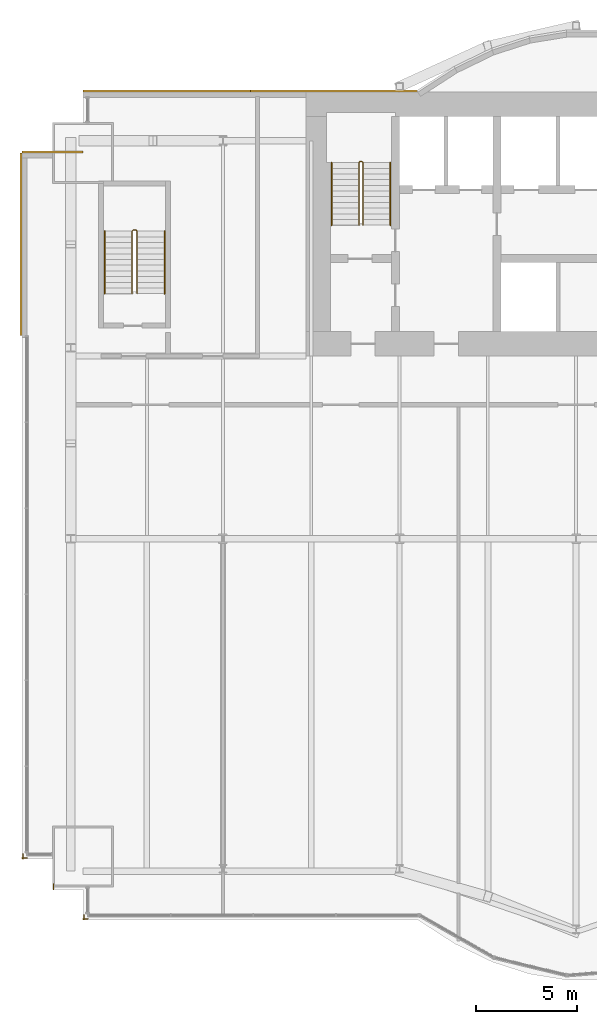
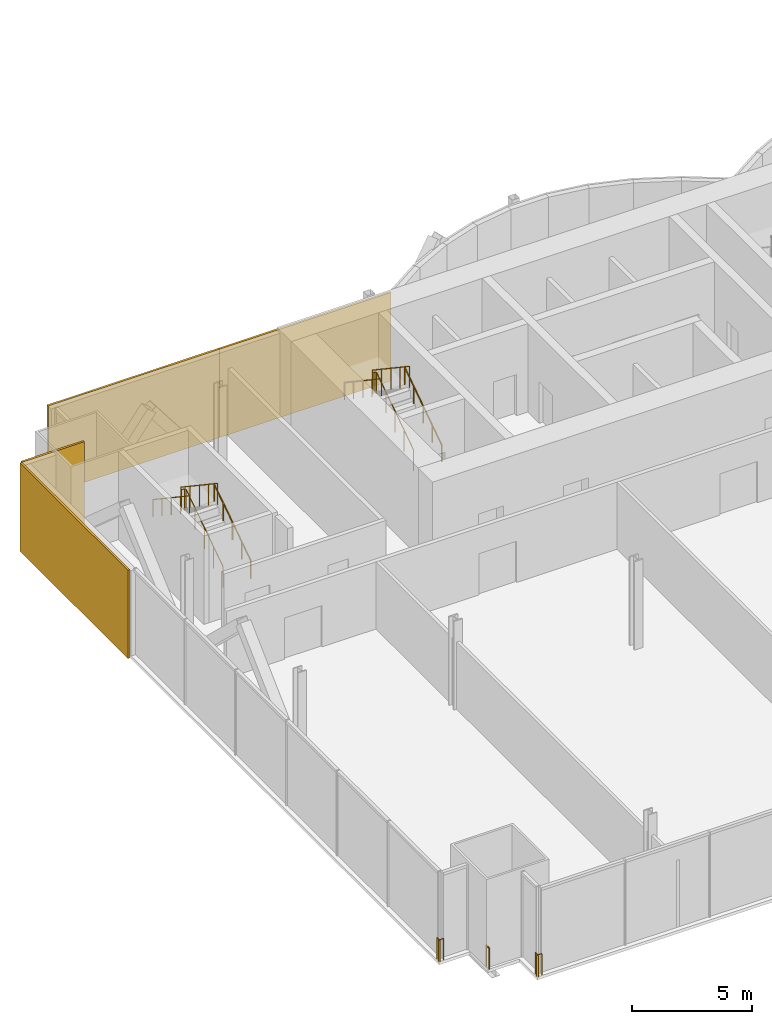
# One storey, part 19 of 21: 9 railings, 4 coverings.
"""IFC4 building model written with IfcOpenShell, lengths in metres."""

from ifc_helpers import new_model, si_unit, direction, frame, origin, origin_2d, place, context, subcontext, project, spatial, rectangle, circle, extrude, material, layer, layer_set, type_object, element, save


model = new_model("IFC4")

# Units and contexts
model_context = context("Model", 3, precision=1e-05, world=origin(), true_north=direction((0.0, 1.0)))
body_context = subcontext(model_context, "Body", "Model", "MODEL_VIEW")
ifc_project = project(units=[si_unit("LENGTHUNIT", "METRE"), si_unit("AREAUNIT", "SQUARE_METRE"), si_unit("VOLUMEUNIT", "CUBIC_METRE"), si_unit("PLANEANGLEUNIT", "RADIAN"), si_unit("MASSUNIT", "GRAM", prefix="KILO")], contexts=[model_context])

# Site, building, storey
site_placement = place(None, origin())
site = spatial("IfcSite", under=ifc_project, at=site_placement, CompositionType="ELEMENT")
building_placement = place(site_placement, origin())
building = spatial("IfcBuilding", under=site, at=building_placement, Name="Bicima Exchange Tower", CompositionType="ELEMENT")
storey_placement = place(building_placement, frame((0.0, 0.0, 57.5)))
storey = spatial("IfcBuildingStorey", under=building, at=storey_placement, Name="L11", CompositionType="ELEMENT", Elevation=57.5)

# Coverings
ifc_material_1 = material(Name="Bronze metal cladding")
ifc_layer_1 = layer(ifc_material_1, 0.004)
ifc_material_2 = material(Name="Ventilated cavity")
ifc_layer_2 = layer(ifc_material_2, 0.06)
ifc_material_3 = material(Name="Galvanised steel rail and mineral wool", Category="steel")
ifc_layer_3 = layer(ifc_material_3, 0.036)
ifc_layer_set = layer_set([ifc_layer_1, ifc_layer_2, ifc_layer_3], Name="Ventilated cavity")
covering_type = type_object("IfcCoveringType", Name="Bronze metal cladding panel 100", PredefinedType="CLADDING", material=ifc_layer_set)
for number, where, z_axis, x_axis, name in (
    (1, (-20.625, 0.050048828125, -0.14990234375), (0.0, 0.0, 1.0), (-1.0, 0.0, 0.0), "Bronze cladding L11 20.1"),
    (2, (-28.875, 0.050048828125, -0.14990234375), (0.0, 0.0, 1.0), (-1.0, 0.0, 0.0), "Bronze cladding L11 20.2"),
):
    element("IfcCovering", number, at=place(storey_placement, frame(where, z_axis=z_axis, x_axis=x_axis)), inside=storey, type_object=covering_type, Name=name, PredefinedType="CLADDING", context=body_context, shape_type="SweptSolid", body=[
        extrude(rectangle(XDim=8.25, YDim=0.10009765625, at=origin_2d()), origin(), (0.0, 0.0, 1.0), 4.5),
    ])
covering_1_placement = place(storey_placement, frame((-34.5, -2.949951171875, -0.14990234375), z_axis=(0.0, 0.0, 1.0), x_axis=(-1.0, 0.0, 0.0)))
element("IfcCovering", 3, at=covering_1_placement, inside=storey, type_object=covering_type, Name="Bronze cladding L11 22.1", PredefinedType="CLADDING", context=body_context, shape_type="SweptSolid", body=[
    extrude(rectangle(XDim=3.0, YDim=0.10009765625, at=origin_2d()), origin(), (0.0, 0.0, 1.0), 4.5),
])
covering_2_placement = place(storey_placement, frame((-36.050048828125, -7.5, -0.14990234375), z_axis=(0.0, 0.0, 1.0), x_axis=(0.0, -1.0, 0.0)))
element("IfcCovering", 4, at=covering_2_placement, inside=storey, type_object=covering_type, Name="Bronze cladding L11 23.1", PredefinedType="CLADDING", context=body_context, shape_type="SweptSolid", body=[
    extrude(rectangle(XDim=9.0, YDim=0.10009765625, at=origin_2d()), origin(), (0.0, 0.0, 1.0), 4.5),
])

# Railings
ifc_material_4 = material(Name="Stainless steel and bonded safety glass", Category="steel")
railing_type_1 = type_object("IfcRailingType", Name="Edge guard 1100", PredefinedType="GUARDRAIL", material=ifc_material_4)
railing_1_placement = place(storey_placement, frame((-35.75, -37.72998046875, 0.0)))
element("IfcRailing", 5, at=railing_1_placement, inside=storey, type_object=railing_type_1, Name="Edge guard L11 45", PredefinedType="GUARDRAIL", context=body_context, shape_type="SweptSolid", body=[
    extrude(circle(Radius=0.02392578125, at=origin_2d()), frame((0.0, 0.0, 1.076171875), z_axis=(-1.0, 0.0, 0.0), x_axis=(0.0, -1.0, 0.0)), (0.0, 0.0, 1.0), 0.25),
    extrude(circle(Radius=0.02392578125, at=origin_2d()), frame((-0.25, 0.0, 1.076171875), z_axis=(0.707106781187, -0.707106781187, 0.0), x_axis=(0.707106781187, 0.707106781187, 0.0)), (0.0, 0.0, 1.0), 0.07080078125),
    extrude(circle(Radius=0.02392578125, at=origin_2d()), frame((-0.199951171875, -0.050048828125, 1.076171875), z_axis=(0.0, 1.0, 0.0), x_axis=(-1.0, 0.0, 0.0)), (0.0, 0.0, 1.0), 0.248046875),
    extrude(circle(Radius=0.02099609375, at=origin_2d()), origin(), (0.0, 0.0, 1.0), 1.052001953125),
    extrude(circle(Radius=0.02099609375, at=origin_2d()), frame((-0.25, 0.0, 0.0)), (0.0, 0.0, 1.0), 1.052001953125),
    extrude(circle(Radius=0.02099609375, at=origin_2d()), frame((-0.199951171875, -0.050048828125, 0.0)), (0.0, 0.0, 1.0), 1.052001953125),
    extrude(circle(Radius=0.02099609375, at=origin_2d()), frame((-0.199951171875, 0.197998046875, 0.0)), (0.0, 0.0, 1.0), 1.052001953125),
])
railing_2_placement = place(storey_placement, frame((-32.75, -40.72998046875, 0.0)))
element("IfcRailing", 6, at=railing_2_placement, inside=storey, type_object=railing_type_1, Name="Edge guard L11 49", PredefinedType="GUARDRAIL", context=body_context, shape_type="SweptSolid", body=[
    extrude(circle(Radius=0.02392578125, at=origin_2d()), frame((0.0, 0.0, 1.076171875), z_axis=(-1.0, 0.0, 0.0), x_axis=(0.0, -1.0, 0.0)), (0.0, 0.0, 1.0), 0.25),
    extrude(circle(Radius=0.02392578125, at=origin_2d()), frame((-0.25, 0.0, 1.076171875), z_axis=(0.707106781187, -0.707106781187, 0.0), x_axis=(0.707106781187, 0.707106781187, 0.0)), (0.0, 0.0, 1.0), 0.07080078125),
    extrude(circle(Radius=0.02392578125, at=origin_2d()), frame((-0.199951171875, -0.050048828125, 1.076171875), z_axis=(0.0, 1.0, 0.0), x_axis=(-1.0, 0.0, 0.0)), (0.0, 0.0, 1.0), 0.25),
    extrude(circle(Radius=0.02099609375, at=origin_2d()), origin(), (0.0, 0.0, 1.0), 1.052001953125),
    extrude(circle(Radius=0.02099609375, at=origin_2d()), frame((-0.25, 0.0, 0.0)), (0.0, 0.0, 1.0), 1.052001953125),
    extrude(circle(Radius=0.02099609375, at=origin_2d()), frame((-0.199951171875, -0.050048828125, 0.0)), (0.0, 0.0, 1.0), 1.052001953125),
    extrude(circle(Radius=0.02099609375, at=origin_2d()), frame((-0.199951171875, 0.199951171875, 0.0)), (0.0, 0.0, 1.0), 1.052001953125),
])
railing_3_placement = place(storey_placement, frame((-34.449951171875, -39.280029296875, 0.0)))
element("IfcRailing", 7, at=railing_3_placement, inside=storey, type_object=railing_type_1, Name="Edge guard L11 50", PredefinedType="GUARDRAIL", context=body_context, shape_type="SweptSolid", body=[
    extrude(circle(Radius=0.02392578125, at=origin_2d()), frame((0.0, 0.0, 1.076171875), z_axis=(0.0, 1.0, 0.0), x_axis=(-1.0, 0.0, 0.0)), (0.0, 0.0, 1.0), 0.25),
    extrude(circle(Radius=0.02099609375, at=origin_2d()), origin(), (0.0, 0.0, 1.0), 1.052001953125),
    extrude(circle(Radius=0.02099609375, at=origin_2d()), frame((0.0, 0.25, 0.0)), (0.0, 0.0, 1.0), 1.052001953125),
])
ifc_material_5 = material(Name="Stainless steel", Category="steel")
railing_type_2 = type_object("IfcRailingType", Name="Stair guard 1100", PredefinedType="GUARDRAIL", material=ifc_material_5)
railing_4_placement = place(storey_placement, frame((-19.199951171875, -6.550048828125, 0.1875)))
element("IfcRailing", 8, at=railing_4_placement, inside=storey, type_object=railing_type_2, Name="L11 ST-W stair guard 1", PredefinedType="GUARDRAIL", context=body_context, shape_type="SweptSolid", body=[
    extrude(circle(Radius=0.02392578125, at=origin_2d()), frame((0.0, 0.0, 1.076171875), z_axis=(0.0, 0.830913701846, 0.55640131208), x_axis=(-1.0, 0.0, 0.0)), (0.0, 0.0, 1.0), 3.706787109375),
    extrude(circle(Radius=0.02392578125, at=origin_2d()), frame((0.0, 3.080078125, 3.138671875), z_axis=(-0.707106781187, 0.707106781187, 0.0), x_axis=(-0.707106781187, -0.707106781187, 0.0)), (0.0, 0.0, 1.0), 0.07080078125),
    extrude(circle(Radius=0.02392578125, at=origin_2d()), frame((-0.050048828125, 3.130126953125, 3.138671875), z_axis=(-1.0, 0.0, 0.0), x_axis=(0.0, -1.0, 0.0)), (0.0, 0.0, 1.0), 0.10009765625),
    extrude(circle(Radius=0.02392578125, at=origin_2d()), frame((-0.150146484375, 3.130126953125, 3.138671875), z_axis=(-0.248583702486, -0.249802250048, 0.935844527007), x_axis=(0.708833529934, -0.705375805398, 0.0)), (0.0, 0.0, 1.0), 0.200439453125),
    extrude(circle(Radius=0.02392578125, at=origin_2d()), frame((-0.199951171875, 3.080078125, 3.326171875), z_axis=(0.0, -0.830913701846, 0.55640131208), x_axis=(1.0, 0.0, 0.0)), (0.0, 0.0, 1.0), 3.706787109375),
    extrude(circle(Radius=0.02099609375, at=origin_2d()), origin(), (0.0, 0.0, 1.0), 1.052001953125),
    extrude(circle(Radius=0.02099609375, at=origin_2d()), frame((0.0, 0.77001953125, 0.515625)), (0.0, 0.0, 1.0), 1.052001953125),
    extrude(circle(Radius=0.02099609375, at=origin_2d()), frame((0.0, 1.5400390625, 1.03125)), (0.0, 0.0, 1.0), 1.052001953125),
    extrude(circle(Radius=0.02099609375, at=origin_2d()), frame((0.0, 2.31005859375, 1.546875)), (0.0, 0.0, 1.0), 1.052001953125),
    extrude(circle(Radius=0.02099609375, at=origin_2d()), frame((0.0, 3.080078125, 2.0625)), (0.0, 0.0, 1.0), 1.052001953125),
    extrude(circle(Radius=0.02099609375, at=origin_2d()), frame((-0.050048828125, 3.130126953125, 2.0625)), (0.0, 0.0, 1.0), 1.052001953125),
    extrude(circle(Radius=0.02099609375, at=origin_2d()), frame((-0.150146484375, 3.130126953125, 2.0625)), (0.0, 0.0, 1.0), 1.052001953125),
    extrude(circle(Radius=0.02099609375, at=origin_2d()), frame((-0.199951171875, 3.080078125, 2.25)), (0.0, 0.0, 1.0), 1.052001953125),
    extrude(circle(Radius=0.02099609375, at=origin_2d()), frame((-0.199951171875, 2.31005859375, 2.765625)), (0.0, 0.0, 1.0), 1.052001953125),
    extrude(circle(Radius=0.02099609375, at=origin_2d()), frame((-0.199951171875, 1.5400390625, 3.28125)), (0.0, 0.0, 1.0), 1.052001953125),
    extrude(circle(Radius=0.02099609375, at=origin_2d()), frame((-0.199951171875, 0.77001953125, 3.796875)), (0.0, 0.0, 1.0), 1.052001953125),
    extrude(circle(Radius=0.02099609375, at=origin_2d()), frame((-0.199951171875, 0.0, 4.3125)), (0.0, 0.0, 1.0), 1.052001953125),
])
railing_5_placement = place(storey_placement, frame((-30.324951171875, -9.925048828125, 0.1875)))
element("IfcRailing", 9, at=railing_5_placement, inside=storey, type_object=railing_type_2, Name="L11 ST-WW stair guard 1", PredefinedType="GUARDRAIL", context=body_context, shape_type="SweptSolid", body=[
    extrude(circle(Radius=0.02392578125, at=origin_2d()), frame((0.0, 0.0, 1.076171875), z_axis=(0.0, 0.830913701846, 0.55640131208), x_axis=(-1.0, 0.0, 0.0)), (0.0, 0.0, 1.0), 3.706787109375),
    extrude(circle(Radius=0.02392578125, at=origin_2d()), frame((0.0, 3.080078125, 3.138671875), z_axis=(-0.707106781187, 0.707106781187, 0.0), x_axis=(-0.707106781187, -0.707106781187, 0.0)), (0.0, 0.0, 1.0), 0.07080078125),
    extrude(circle(Radius=0.02392578125, at=origin_2d()), frame((-0.050048828125, 3.130126953125, 3.138671875), z_axis=(-1.0, 0.0, 0.0), x_axis=(0.0, -1.0, 0.0)), (0.0, 0.0, 1.0), 0.14990234375),
    extrude(circle(Radius=0.02392578125, at=origin_2d()), frame((-0.199951171875, 3.130126953125, 3.138671875), z_axis=(-0.249726431254, -0.249726431254, 0.935560483917), x_axis=(0.707106781187, -0.707106781187, 0.0)), (0.0, 0.0, 1.0), 0.200439453125),
    extrude(circle(Radius=0.02392578125, at=origin_2d()), frame((-0.25, 3.080078125, 3.326171875), z_axis=(0.0, -0.830913701846, 0.55640131208), x_axis=(1.0, 0.0, 0.0)), (0.0, 0.0, 1.0), 3.706787109375),
    extrude(circle(Radius=0.02099609375, at=origin_2d()), origin(), (0.0, 0.0, 1.0), 1.052001953125),
    extrude(circle(Radius=0.02099609375, at=origin_2d()), frame((0.0, 0.77001953125, 0.515625)), (0.0, 0.0, 1.0), 1.052001953125),
    extrude(circle(Radius=0.02099609375, at=origin_2d()), frame((0.0, 1.5400390625, 1.03125)), (0.0, 0.0, 1.0), 1.052001953125),
    extrude(circle(Radius=0.02099609375, at=origin_2d()), frame((0.0, 2.31005859375, 1.546875)), (0.0, 0.0, 1.0), 1.052001953125),
    extrude(circle(Radius=0.02099609375, at=origin_2d()), frame((0.0, 3.080078125, 2.0625)), (0.0, 0.0, 1.0), 1.052001953125),
    extrude(circle(Radius=0.02099609375, at=origin_2d()), frame((-0.050048828125, 3.130126953125, 2.0625)), (0.0, 0.0, 1.0), 1.052001953125),
    extrude(circle(Radius=0.02099609375, at=origin_2d()), frame((-0.199951171875, 3.130126953125, 2.0625)), (0.0, 0.0, 1.0), 1.052001953125),
    extrude(circle(Radius=0.02099609375, at=origin_2d()), frame((-0.25, 3.080078125, 2.25)), (0.0, 0.0, 1.0), 1.052001953125),
    extrude(circle(Radius=0.02099609375, at=origin_2d()), frame((-0.25, 2.31005859375, 2.765625)), (0.0, 0.0, 1.0), 1.052001953125),
    extrude(circle(Radius=0.02099609375, at=origin_2d()), frame((-0.25, 1.5400390625, 3.28125)), (0.0, 0.0, 1.0), 1.052001953125),
    extrude(circle(Radius=0.02099609375, at=origin_2d()), frame((-0.25, 0.77001953125, 3.796875)), (0.0, 0.0, 1.0), 1.052001953125),
    extrude(circle(Radius=0.02099609375, at=origin_2d()), frame((-0.25, 0.0, 4.3125)), (0.0, 0.0, 1.0), 1.052001953125),
])
railing_type_3 = type_object("IfcRailingType", Name="Stair handrail 900", PredefinedType="HANDRAIL", material=ifc_material_5)
railing_6_placement = place(storey_placement, frame((-17.85009765625, -6.550048828125, 0.1875)))
element("IfcRailing", 10, at=railing_6_placement, inside=storey, type_object=railing_type_3, Name="L11 ST-W stair handrail 1", PredefinedType="HANDRAIL", context=body_context, shape_type="SweptSolid", body=[
    extrude(circle(Radius=0.02392578125, at=origin_2d()), frame((0.0, 0.0, 0.8759765625), z_axis=(0.0, 0.830913701846, 0.55640131208), x_axis=(-1.0, 0.0, 0.0)), (0.0, 0.0, 1.0), 3.706787109375),
    extrude(circle(Radius=0.02099609375, at=origin_2d()), origin(), (0.0, 0.0, 1.0), 0.851806640625),
    extrude(circle(Radius=0.02099609375, at=origin_2d()), frame((0.0, 0.77001953125, 0.515625)), (0.0, 0.0, 1.0), 0.851806640625),
    extrude(circle(Radius=0.02099609375, at=origin_2d()), frame((0.0, 1.5400390625, 1.03125)), (0.0, 0.0, 1.0), 0.851806640625),
    extrude(circle(Radius=0.02099609375, at=origin_2d()), frame((0.0, 2.31005859375, 1.546875)), (0.0, 0.0, 1.0), 0.851806640625),
    extrude(circle(Radius=0.02099609375, at=origin_2d()), frame((0.0, 3.080078125, 2.0625)), (0.0, 0.0, 1.0), 0.851806640625),
])
railing_7_placement = place(storey_placement, frame((-20.75, -3.469970703125, 2.47900390625)))
element("IfcRailing", 11, at=railing_7_placement, inside=storey, type_object=railing_type_3, Name="L11 ST-W stair handrail 2", PredefinedType="HANDRAIL", context=body_context, shape_type="SweptSolid", body=[
    extrude(circle(Radius=0.02392578125, at=origin_2d()), frame((0.0, 0.0, 0.8759765625), z_axis=(0.0, -0.830913701846, 0.55640131208), x_axis=(1.0, 0.0, 0.0)), (0.0, 0.0, 1.0), 3.706787109375),
    extrude(circle(Radius=0.02099609375, at=origin_2d()), origin(), (0.0, 0.0, 1.0), 0.851806640625),
    extrude(circle(Radius=0.02099609375, at=origin_2d()), frame((0.0, -0.77001953125, 0.515625)), (0.0, 0.0, 1.0), 0.851806640625),
    extrude(circle(Radius=0.02099609375, at=origin_2d()), frame((0.0, -1.5400390625, 1.03125)), (0.0, 0.0, 1.0), 0.851806640625),
    extrude(circle(Radius=0.02099609375, at=origin_2d()), frame((0.0, -2.31005859375, 1.546875)), (0.0, 0.0, 1.0), 0.851806640625),
    extrude(circle(Radius=0.02099609375, at=origin_2d()), frame((0.0, -3.080078125, 2.0625)), (0.0, 0.0, 1.0), 0.851806640625),
])
railing_8_placement = place(storey_placement, frame((-28.97509765625, -9.925048828125, 0.1875)))
element("IfcRailing", 12, at=railing_8_placement, inside=storey, type_object=railing_type_3, Name="L11 ST-WW stair handrail 1", PredefinedType="HANDRAIL", context=body_context, shape_type="SweptSolid", body=[
    extrude(circle(Radius=0.02392578125, at=origin_2d()), frame((0.0, 0.0, 0.8759765625), z_axis=(0.0, 0.830913701846, 0.55640131208), x_axis=(-1.0, 0.0, 0.0)), (0.0, 0.0, 1.0), 3.706787109375),
    extrude(circle(Radius=0.02099609375, at=origin_2d()), origin(), (0.0, 0.0, 1.0), 0.851806640625),
    extrude(circle(Radius=0.02099609375, at=origin_2d()), frame((0.0, 0.77001953125, 0.515625)), (0.0, 0.0, 1.0), 0.851806640625),
    extrude(circle(Radius=0.02099609375, at=origin_2d()), frame((0.0, 1.5400390625, 1.03125)), (0.0, 0.0, 1.0), 0.851806640625),
    extrude(circle(Radius=0.02099609375, at=origin_2d()), frame((0.0, 2.31005859375, 1.546875)), (0.0, 0.0, 1.0), 0.851806640625),
    extrude(circle(Radius=0.02099609375, at=origin_2d()), frame((0.0, 3.080078125, 2.0625)), (0.0, 0.0, 1.0), 0.851806640625),
])
railing_9_placement = place(storey_placement, frame((-31.925048828125, -6.844970703125, 2.47900390625)))
element("IfcRailing", 13, at=railing_9_placement, inside=storey, type_object=railing_type_3, Name="L11 ST-WW stair handrail 2", PredefinedType="HANDRAIL", context=body_context, shape_type="SweptSolid", body=[
    extrude(circle(Radius=0.02392578125, at=origin_2d()), frame((0.0, 0.0, 0.8759765625), z_axis=(0.0, -0.830913701846, 0.55640131208), x_axis=(1.0, 0.0, 0.0)), (0.0, 0.0, 1.0), 3.706787109375),
    extrude(circle(Radius=0.02099609375, at=origin_2d()), origin(), (0.0, 0.0, 1.0), 0.851806640625),
    extrude(circle(Radius=0.02099609375, at=origin_2d()), frame((0.0, -0.77001953125, 0.515625)), (0.0, 0.0, 1.0), 0.851806640625),
    extrude(circle(Radius=0.02099609375, at=origin_2d()), frame((0.0, -1.5400390625, 1.03125)), (0.0, 0.0, 1.0), 0.851806640625),
    extrude(circle(Radius=0.02099609375, at=origin_2d()), frame((0.0, -2.31005859375, 1.546875)), (0.0, 0.0, 1.0), 0.851806640625),
    extrude(circle(Radius=0.02099609375, at=origin_2d()), frame((0.0, -3.080078125, 2.0625)), (0.0, 0.0, 1.0), 0.851806640625),
])

save(model, "model.ifc")
